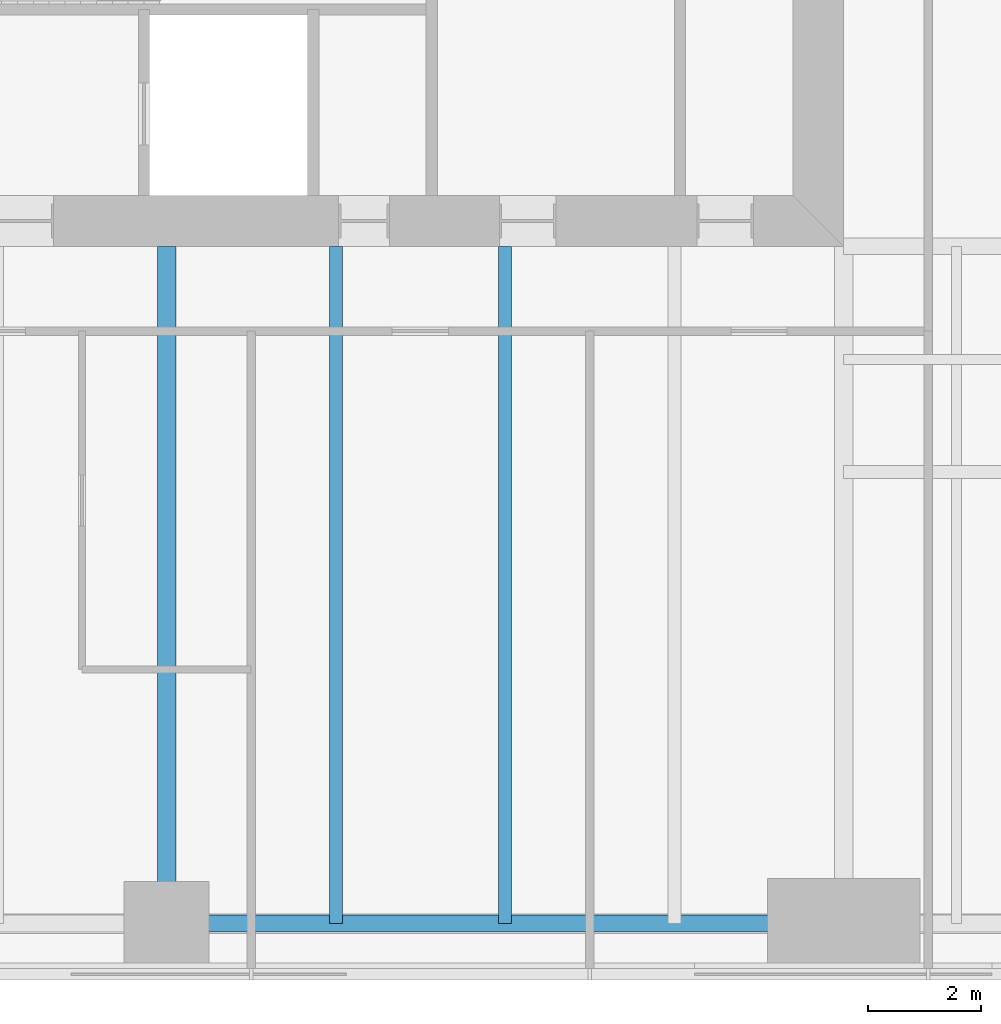
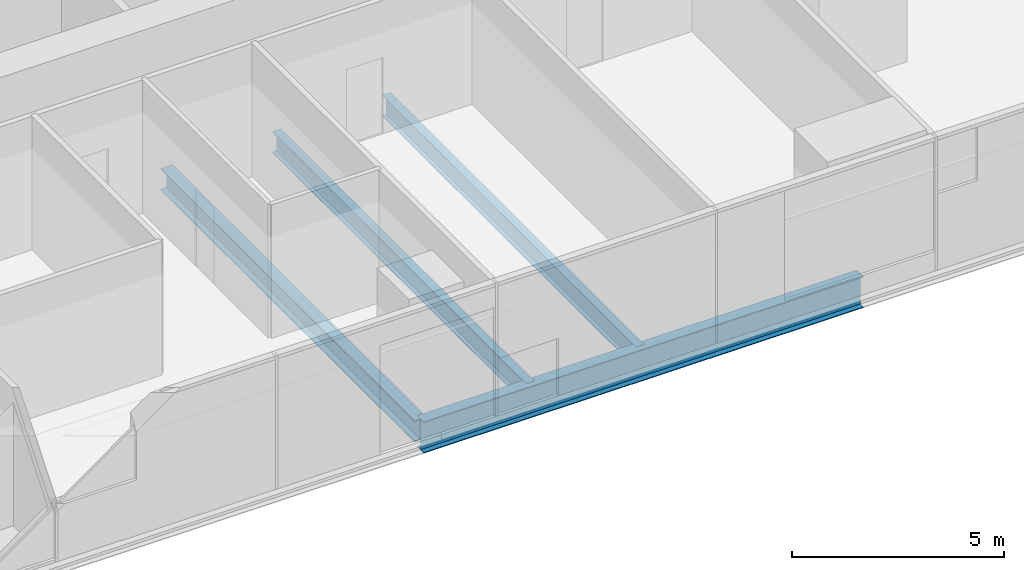
# One storey, part 3 of 14: 4 beams.
"""IFC4 building model written with IfcOpenShell, lengths in metres."""

from ifc_helpers import new_model, si_unit, direction, frame, origin, origin_2d, place, context, subcontext, project, spatial, i_section, extrude, material, material_profile, profile_set, type_object, element, save


model = new_model("IFC4")

# Units and contexts
model_context = context("Model", 3, precision=1e-05, world=origin(), true_north=direction((0.0, 1.0)))
body_context = subcontext(model_context, "Body", "Model", "MODEL_VIEW")
ifc_project = project(units=[si_unit("LENGTHUNIT", "METRE"), si_unit("AREAUNIT", "SQUARE_METRE"), si_unit("VOLUMEUNIT", "CUBIC_METRE"), si_unit("PLANEANGLEUNIT", "RADIAN"), si_unit("MASSUNIT", "GRAM", prefix="KILO")], contexts=[model_context])

# Site, building, storey
site_placement = place(None, origin())
site = spatial("IfcSite", under=ifc_project, at=site_placement, CompositionType="ELEMENT")
building_placement = place(site_placement, origin())
building = spatial("IfcBuilding", under=site, at=building_placement, Name="Fenwick Lantern Interchange", CompositionType="ELEMENT")
storey_placement = place(building_placement, frame((0.0, 0.0, 35.0)))
storey = spatial("IfcBuildingStorey", under=building, at=storey_placement, Name="L07", CompositionType="ELEMENT", Elevation=35.0)

# Beams
ifc_material = material(Name="Steel ASTM A992 Grade 50", Category="steel")
ifc_material_profile_1 = material_profile(ifc_material, i_section(OverallWidth=0.3046875, OverallDepth=0.911865234375, WebThickness=0.015869140625, FlangeThickness=0.02392578125, at=origin_2d()), Name="W36X150")
ifc_profile_set_1 = profile_set([ifc_material_profile_1], Name="Steel ASTM A992 Grade 50")
beam_type_1 = type_object("IfcBeamType", Name="EDGE BEAM W36X150", PredefinedType="SPANDREL", material=ifc_profile_set_1)
beam_1_placement = place(storey_placement, frame((25.0, 1.0, -0.60595703125), z_axis=(1.0, 0.0, 0.0), x_axis=(0.0, 1.0, 0.0)))
element("IfcBeam", 1, at=beam_1_placement, inside=storey, type_object=beam_type_1, Name="L07/FR/S/EB3", PredefinedType="SPANDREL", context=body_context, shape_type="SweptSolid", body=[
    extrude(i_section(OverallWidth=0.3046875, OverallDepth=0.911865234375, WebThickness=0.015869140625, FlangeThickness=0.02392578125, at=origin_2d()), origin(), (0.0, 0.0, 1.0), 12.0),
])
ifc_material_profile_2 = material_profile(ifc_material, i_section(OverallWidth=0.22900390625, OverallDepth=0.612060546875, WebThickness=0.011962890625, FlangeThickness=0.01953125, at=origin_2d()), Name="W24X84")
ifc_profile_set_2 = profile_set([ifc_material_profile_2], Name="Steel ASTM A992 Grade 50")
beam_type_2 = type_object("IfcBeamType", Name="FLOOR BEAM W24X84", PredefinedType="BEAM", material=ifc_profile_set_2)
for number, where, z_axis, x_axis, name in (
    (2, (28.0, 1.0, -0.4560546875), (0.0, 1.0, 0.0), (-1.0, 0.0, 0.0), "L07/FR/S/R06"),
    (3, (31.0, 1.0, -0.4560546875), (0.0, 1.0, 0.0), (-1.0, 0.0, 0.0), "L07/FR/S/R07"),
):
    element("IfcBeam", number, at=place(storey_placement, frame(where, z_axis=z_axis, x_axis=x_axis)), inside=storey, type_object=beam_type_2, Name=name, PredefinedType="BEAM", context=body_context, shape_type="SweptSolid", body=[
        extrude(i_section(OverallWidth=0.22900390625, OverallDepth=0.612060546875, WebThickness=0.011962890625, FlangeThickness=0.01953125, at=origin_2d()), origin(), (0.0, 0.0, 1.0), 12.0),
    ])
ifc_material_profile_3 = material_profile(ifc_material, i_section(OverallWidth=0.32763671875, OverallDepth=0.622314453125, WebThickness=0.015380859375, FlangeThickness=0.0244140625, at=origin_2d()), Name="W24X131")
ifc_profile_set_3 = profile_set([ifc_material_profile_3], Name="Steel ASTM A992 Grade 50")
beam_type_3 = type_object("IfcBeamType", Name="MOMENT-CONNECTED GIRDER W24X131", PredefinedType="BEAM", material=ifc_profile_set_3)
beam_2_placement = place(storey_placement, frame((25.0, 1.0, -0.461181640625), z_axis=(0.0, 1.0, 0.0), x_axis=(-1.0, 0.0, 0.0)))
element("IfcBeam", 4, at=beam_2_placement, inside=storey, type_object=beam_type_3, Name="L07/FR/S/R05", PredefinedType="BEAM", context=body_context, shape_type="SweptSolid", body=[
    extrude(i_section(OverallWidth=0.32763671875, OverallDepth=0.622314453125, WebThickness=0.015380859375, FlangeThickness=0.0244140625, at=origin_2d()), origin(), (0.0, 0.0, 1.0), 12.0),
])

save(model, "model.ifc")
